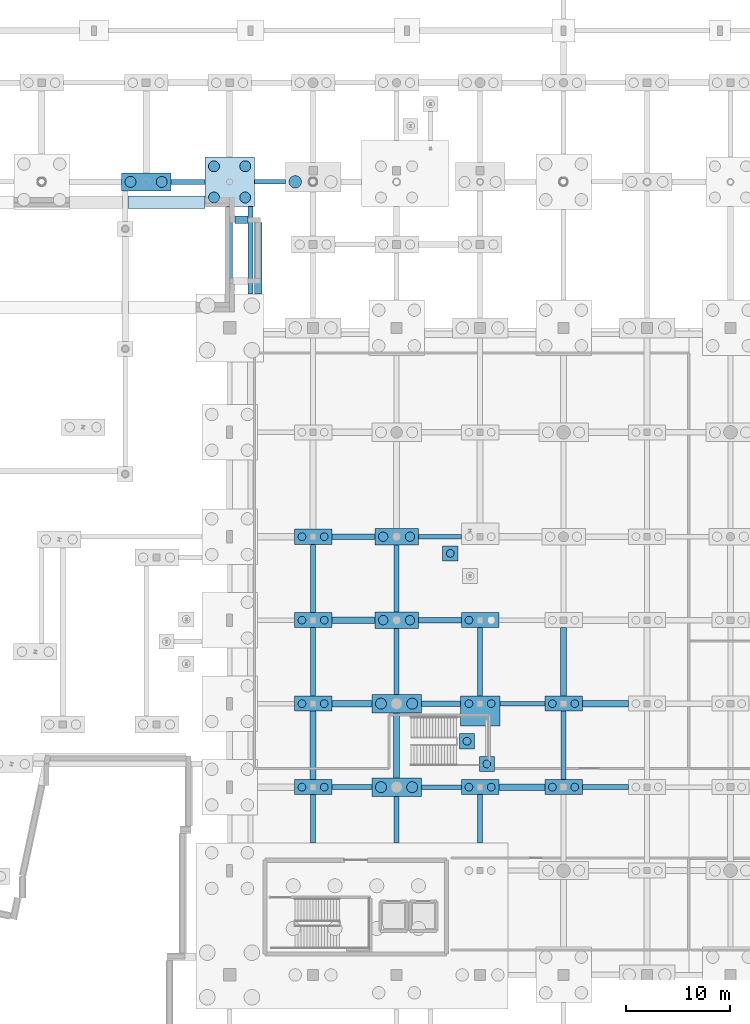
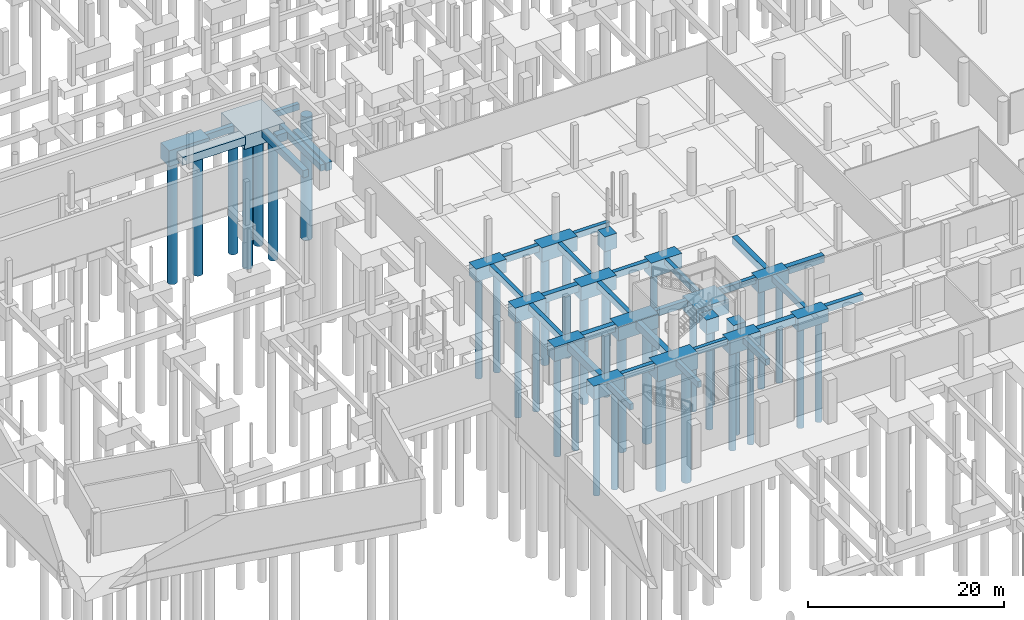
# One storey, part 6 of 65: 49 footings, 35 piles.
"""IFC4 building model written with IfcOpenShell, lengths in metres."""

from ifc_helpers import new_model, si_unit, direction, frame, origin, origin_2d, place, context, subcontext, project, spatial, rectangle, circle, extrude, material, material_profile, profile_set, type_object, element, save


model = new_model("IFC4")

# Units and contexts
model_context = context("Model", 3, precision=1e-05, world=origin(), true_north=direction((0.0, 1.0)))
body_context = subcontext(model_context, "Body", "Model", "MODEL_VIEW")
ifc_project = project(units=[si_unit("LENGTHUNIT", "METRE"), si_unit("AREAUNIT", "SQUARE_METRE"), si_unit("VOLUMEUNIT", "CUBIC_METRE"), si_unit("PLANEANGLEUNIT", "RADIAN"), si_unit("MASSUNIT", "GRAM", prefix="KILO")], contexts=[model_context])

# Site, building, storey
site_placement = place(None, origin())
site = spatial("IfcSite", under=ifc_project, at=site_placement, CompositionType="ELEMENT")
building_placement = place(site_placement, origin())
building = spatial("IfcBuilding", under=site, at=building_placement, Name="Khorjan Park Terminus", CompositionType="ELEMENT")
storey_placement = place(building_placement, frame((0.0, 0.0, -5.4)))
storey = spatial("IfcBuildingStorey", under=building, at=storey_placement, Name="B1", CompositionType="ELEMENT", Elevation=-5.4)

# Footings
ifc_material = material(Name="Concrete C40/50", Category="concrete")
ifc_material_profile_1 = material_profile(ifc_material, rectangle(XDim=0.45, YDim=0.75, at=origin_2d()), Name="RC 450x750")
ifc_profile_set_1 = profile_set([ifc_material_profile_1], Name="Concrete C40/50")
footing_type_1 = type_object("IfcFootingType", Name="FTG-GB-450x750", PredefinedType="FOOTING_BEAM", material=ifc_profile_set_1)
footing_1_placement = place(storey_placement, frame((66.371, 44.0, -0.375), z_axis=(1.0, 0.0, 0.0), x_axis=(0.0, 1.0, 0.0)))
element("IfcFooting", 1, at=footing_1_placement, inside=storey, type_object=footing_type_1, Name="Reinforced concrete ground tie beam FB-07 (29)", PredefinedType="FOOTING_BEAM", context=body_context, shape_type="SweptSolid", body=[
    extrude(rectangle(XDim=0.45, YDim=0.75, at=origin_2d()), origin(), (0.0, 0.0, 1.0), 3.835),
])
footing_2_placement = place(storey_placement, frame((73.894, 52.0, -0.375), z_axis=(1.0, 0.0, 0.0), x_axis=(0.0, 1.0, 0.0)))
element("IfcFooting", 2, at=footing_2_placement, inside=storey, type_object=footing_type_1, Name="Reinforced concrete ground tie beam FB-07 (41)", PredefinedType="FOOTING_BEAM", context=body_context, shape_type="SweptSolid", body=[
    extrude(rectangle(XDim=0.45, YDim=0.75, at=origin_2d()), origin(), (0.0, 0.0, 1.0), 4.312),
])
footing_3_placement = place(storey_placement, frame((66.082, 68.0, -0.375), z_axis=(1.0, 0.0, 0.0), x_axis=(0.0, 1.0, 0.0)))
element("IfcFooting", 3, at=footing_3_placement, inside=storey, type_object=footing_type_1, Name="Reinforced concrete ground tie beam FB-07 (59)", PredefinedType="FOOTING_BEAM", context=body_context, shape_type="SweptSolid", body=[
    extrude(rectangle(XDim=0.45, YDim=0.75, at=origin_2d()), origin(), (0.0, 0.0, 1.0), 4.124),
])
footing_4_placement = place(storey_placement, frame((50.371, 102.0, -0.375), z_axis=(1.0, 0.0, 0.0), x_axis=(0.0, 1.0, 0.0)))
element("IfcFooting", 4, at=footing_4_placement, inside=storey, type_object=footing_type_1, Name="Reinforced concrete ground tie beam FB-07 (95)", PredefinedType="FOOTING_BEAM", context=body_context, shape_type="SweptSolid", body=[
    extrude(rectangle(XDim=0.45, YDim=0.75, at=origin_2d()), origin(), (0.0, 0.0, 1.0), 2.969),
])
footing_5_placement = place(storey_placement, frame((56.0, 38.66, -0.375), z_axis=(0.0, 1.0, 0.0), x_axis=(-1.0, 0.0, 0.0)))
element("IfcFooting", 5, at=footing_5_placement, inside=storey, type_object=footing_type_1, Name="Reinforced concrete ground tie beam FB-07 (242)", PredefinedType="FOOTING_BEAM", context=body_context, shape_type="SweptSolid", body=[
    extrude(rectangle(XDim=0.45, YDim=0.75, at=origin_2d()), origin(), (0.0, 0.0, 1.0), 4.615),
])
footing_6_placement = place(storey_placement, frame((56.0, 60.725, -0.375), z_axis=(0.0, 1.0, 0.0), x_axis=(-1.0, 0.0, 0.0)))
element("IfcFooting", 6, at=footing_6_placement, inside=storey, type_object=footing_type_1, Name="Reinforced concrete ground tie beam FB-07 (245)", PredefinedType="FOOTING_BEAM", context=body_context, shape_type="SweptSolid", body=[
    extrude(rectangle(XDim=0.45, YDim=0.75, at=origin_2d()), origin(), (0.0, 0.0, 1.0), 6.55),
])
footing_7_placement = place(storey_placement, frame((64.0, 38.66, -0.375), z_axis=(0.0, 1.0, 0.0), x_axis=(-1.0, 0.0, 0.0)))
element("IfcFooting", 7, at=footing_7_placement, inside=storey, type_object=footing_type_1, Name="Reinforced concrete ground tie beam FB-07 (260)", PredefinedType="FOOTING_BEAM", context=body_context, shape_type="SweptSolid", body=[
    extrude(rectangle(XDim=0.45, YDim=0.75, at=origin_2d()), origin(), (0.0, 0.0, 1.0), 4.465),
])
footing_8_placement = place(storey_placement, frame((64.0, 60.8, -0.375), z_axis=(0.0, 1.0, 0.0), x_axis=(-1.0, 0.0, 0.0)))
element("IfcFooting", 8, at=footing_8_placement, inside=storey, type_object=footing_type_1, Name="Reinforced concrete ground tie beam FB-07 (263)", PredefinedType="FOOTING_BEAM", context=body_context, shape_type="SweptSolid", body=[
    extrude(rectangle(XDim=0.45, YDim=0.75, at=origin_2d()), origin(), (0.0, 0.0, 1.0), 6.4),
])
for number, where, z_axis, x_axis, name in (
    (9, (72.0, 52.725, -0.375), (0.0, 1.0, 0.0), (-1.0, 0.0, 0.0), "Reinforced concrete ground tie beam FB-07 (275)"),
    (10, (80.0, 44.725, -0.375), (0.0, 1.0, 0.0), (-1.0, 0.0, 0.0), "Reinforced concrete ground tie beam FB-07 (290)"),
):
    element("IfcFooting", number, at=place(storey_placement, frame(where, z_axis=z_axis, x_axis=x_axis)), inside=storey, type_object=footing_type_1, Name=name, PredefinedType="FOOTING_BEAM", context=body_context, shape_type="SweptSolid", body=[
        extrude(rectangle(XDim=0.45, YDim=0.75, at=origin_2d()), origin(), (0.0, 0.0, 1.0), 6.55),
    ])
ifc_material_profile_2 = material_profile(ifc_material, rectangle(XDim=0.5, YDim=0.8, at=origin_2d()), Name="RC 500x800")
ifc_profile_set_2 = profile_set([ifc_material_profile_2], Name="Concrete C40/50")
footing_type_2 = type_object("IfcFootingType", Name="FTG-GB-500x800", PredefinedType="FOOTING_BEAM", material=ifc_profile_set_2)
footing_9_placement = place(storey_placement, frame((57.794, 44.0, -0.4), z_axis=(1.0, 0.0, 0.0), x_axis=(0.0, 1.0, 0.0)))
element("IfcFooting", 11, at=footing_9_placement, inside=storey, type_object=footing_type_2, Name="Reinforced concrete ground tie beam FB-08 (28)", PredefinedType="FOOTING_BEAM", context=body_context, shape_type="SweptSolid", body=[
    extrude(rectangle(XDim=0.5, YDim=0.8, at=origin_2d()), origin(), (0.0, 0.0, 1.0), 3.835),
])
footing_10_placement = place(storey_placement, frame((81.794, 44.0, -0.4), z_axis=(1.0, 0.0, 0.0), x_axis=(0.0, 1.0, 0.0)))
element("IfcFooting", 12, at=footing_10_placement, inside=storey, type_object=footing_type_2, Name="Reinforced concrete ground tie beam FB-08 (31)", PredefinedType="FOOTING_BEAM", context=body_context, shape_type="SweptSolid", body=[
    extrude(rectangle(XDim=0.5, YDim=0.8, at=origin_2d()), origin(), (0.0, 0.0, 1.0), 4.412),
])
footing_11_placement = place(storey_placement, frame((66.371, 52.0, -0.4), z_axis=(1.0, 0.0, 0.0), x_axis=(0.0, 1.0, 0.0)))
element("IfcFooting", 13, at=footing_11_placement, inside=storey, type_object=footing_type_2, Name="Reinforced concrete ground tie beam FB-08 (40)", PredefinedType="FOOTING_BEAM", context=body_context, shape_type="SweptSolid", body=[
    extrude(rectangle(XDim=0.5, YDim=0.8, at=origin_2d()), origin(), (0.0, 0.0, 1.0), 3.735),
])
footing_12_placement = place(storey_placement, frame((66.082, 60.0, -0.4), z_axis=(1.0, 0.0, 0.0), x_axis=(0.0, 1.0, 0.0)))
element("IfcFooting", 14, at=footing_12_placement, inside=storey, type_object=footing_type_2, Name="Reinforced concrete ground tie beam FB-08 (49)", PredefinedType="FOOTING_BEAM", context=body_context, shape_type="SweptSolid", body=[
    extrude(rectangle(XDim=0.5, YDim=0.8, at=origin_2d()), origin(), (0.0, 0.0, 1.0), 4.124),
])
footing_13_placement = place(storey_placement, frame((57.794, 68.0, -0.4), z_axis=(1.0, 0.0, 0.0), x_axis=(0.0, 1.0, 0.0)))
element("IfcFooting", 15, at=footing_13_placement, inside=storey, type_object=footing_type_2, Name="Reinforced concrete ground tie beam FB-08 (58)", PredefinedType="FOOTING_BEAM", context=body_context, shape_type="SweptSolid", body=[
    extrude(rectangle(XDim=0.5, YDim=0.8, at=origin_2d()), origin(), (0.0, 0.0, 1.0), 4.123),
])
footing_14_placement = place(storey_placement, frame((42.371, 102.0, -0.4), z_axis=(1.0, 0.0, 0.0), x_axis=(0.0, 1.0, 0.0)))
element("IfcFooting", 16, at=footing_14_placement, inside=storey, type_object=footing_type_2, Name="Reinforced concrete ground tie beam FB-08 (94)", PredefinedType="FOOTING_BEAM", context=body_context, shape_type="SweptSolid", body=[
    extrude(rectangle(XDim=0.5, YDim=0.8, at=origin_2d()), origin(), (0.0, 0.0, 1.0), 3.258),
])
footing_15_placement = place(storey_placement, frame((50.0, 91.237, -0.4), z_axis=(0.0, 1.0, 0.0), x_axis=(-1.0, 0.0, 0.0)))
element("IfcFooting", 17, at=footing_15_placement, inside=storey, type_object=footing_type_2, Name="Reinforced concrete ground tie beam FB-08 (241)", PredefinedType="FOOTING_BEAM", context=body_context, shape_type="SweptSolid", body=[
    extrude(rectangle(XDim=0.5, YDim=0.8, at=origin_2d()), origin(), (0.0, 0.0, 1.0), 8.392),
])
footing_16_placement = place(storey_placement, frame((56.0, 52.725, -0.4), z_axis=(0.0, 1.0, 0.0), x_axis=(-1.0, 0.0, 0.0)))
element("IfcFooting", 18, at=footing_16_placement, inside=storey, type_object=footing_type_2, Name="Reinforced concrete ground tie beam FB-08 (244)", PredefinedType="FOOTING_BEAM", context=body_context, shape_type="SweptSolid", body=[
    extrude(rectangle(XDim=0.5, YDim=0.8, at=origin_2d()), origin(), (0.0, 0.0, 1.0), 6.55),
])
footing_17_placement = place(storey_placement, frame((64.0, 52.875, -0.4), z_axis=(0.0, 1.0, 0.0), x_axis=(-1.0, 0.0, 0.0)))
element("IfcFooting", 19, at=footing_17_placement, inside=storey, type_object=footing_type_2, Name="Reinforced concrete ground tie beam FB-08 (262)", PredefinedType="FOOTING_BEAM", context=body_context, shape_type="SweptSolid", body=[
    extrude(rectangle(XDim=0.5, YDim=0.8, at=origin_2d()), origin(), (0.0, 0.0, 1.0), 6.325),
])
footing_18_placement = place(storey_placement, frame((72.0, 38.66, -0.4), z_axis=(0.0, 1.0, 0.0), x_axis=(-1.0, 0.0, 0.0)))
element("IfcFooting", 20, at=footing_18_placement, inside=storey, type_object=footing_type_2, Name="Reinforced concrete ground tie beam FB-08 (274)", PredefinedType="FOOTING_BEAM", context=body_context, shape_type="SweptSolid", body=[
    extrude(rectangle(XDim=0.5, YDim=0.8, at=origin_2d()), origin(), (0.0, 0.0, 1.0), 4.615),
])
ifc_material_profile_3 = material_profile(ifc_material, rectangle(XDim=0.6, YDim=0.9, at=origin_2d()), Name="RC 600x900")
ifc_profile_set_3 = profile_set([ifc_material_profile_3], Name="Concrete C40/50")
footing_type_3 = type_object("IfcFootingType", Name="FTG-GB-600x900", PredefinedType="FOOTING_BEAM", material=ifc_profile_set_3)
footing_19_placement = place(storey_placement, frame((73.794, 44.0, -0.45), z_axis=(1.0, 0.0, 0.0), x_axis=(0.0, 1.0, 0.0)))
element("IfcFooting", 21, at=footing_19_placement, inside=storey, type_object=footing_type_3, Name="Reinforced concrete ground tie beam FB-09 (30)", PredefinedType="FOOTING_BEAM", context=body_context, shape_type="SweptSolid", body=[
    extrude(rectangle(XDim=0.6, YDim=0.9, at=origin_2d()), origin(), (0.0, 0.0, 1.0), 4.412),
])
footing_20_placement = place(storey_placement, frame((57.794, 52.0, -0.45), z_axis=(1.0, 0.0, 0.0), x_axis=(0.0, 1.0, 0.0)))
element("IfcFooting", 22, at=footing_20_placement, inside=storey, type_object=footing_type_3, Name="Reinforced concrete ground tie beam FB-09 (39)", PredefinedType="FOOTING_BEAM", context=body_context, shape_type="SweptSolid", body=[
    extrude(rectangle(XDim=0.6, YDim=0.9, at=origin_2d()), origin(), (0.0, 0.0, 1.0), 3.835),
])
footing_21_placement = place(storey_placement, frame((81.794, 52.0, -0.45), z_axis=(1.0, 0.0, 0.0), x_axis=(0.0, 1.0, 0.0)))
element("IfcFooting", 23, at=footing_21_placement, inside=storey, type_object=footing_type_3, Name="Reinforced concrete ground tie beam FB-09 (42)", PredefinedType="FOOTING_BEAM", context=body_context, shape_type="SweptSolid", body=[
    extrude(rectangle(XDim=0.6, YDim=0.9, at=origin_2d()), origin(), (0.0, 0.0, 1.0), 4.412),
])
footing_22_placement = place(storey_placement, frame((57.794, 60.0, -0.45), z_axis=(1.0, 0.0, 0.0), x_axis=(0.0, 1.0, 0.0)))
element("IfcFooting", 24, at=footing_22_placement, inside=storey, type_object=footing_type_3, Name="Reinforced concrete ground tie beam FB-09 (48)", PredefinedType="FOOTING_BEAM", context=body_context, shape_type="SweptSolid", body=[
    extrude(rectangle(XDim=0.6, YDim=0.9, at=origin_2d()), origin(), (0.0, 0.0, 1.0), 4.123),
])
footing_23_placement = place(storey_placement, frame((48.0, 91.237, -0.45), z_axis=(0.0, 1.0, 0.0), x_axis=(-1.0, 0.0, 0.0)))
element("IfcFooting", 25, at=footing_23_placement, inside=storey, type_object=footing_type_3, Name="Reinforced concrete ground tie beam FB-09 (230)", PredefinedType="FOOTING_BEAM", context=body_context, shape_type="SweptSolid", body=[
    extrude(rectangle(XDim=0.6, YDim=0.9, at=origin_2d()), origin(), (0.0, 0.0, 1.0), 8.392),
])
footing_24_placement = place(storey_placement, frame((56.0, 44.725, -0.45), z_axis=(0.0, 1.0, 0.0), x_axis=(-1.0, 0.0, 0.0)))
element("IfcFooting", 26, at=footing_24_placement, inside=storey, type_object=footing_type_3, Name="Reinforced concrete ground tie beam FB-09 (243)", PredefinedType="FOOTING_BEAM", context=body_context, shape_type="SweptSolid", body=[
    extrude(rectangle(XDim=0.6, YDim=0.9, at=origin_2d()), origin(), (0.0, 0.0, 1.0), 6.55),
])
footing_25_placement = place(storey_placement, frame((64.0, 44.875, -0.45), z_axis=(0.0, 1.0, 0.0), x_axis=(-1.0, 0.0, 0.0)))
element("IfcFooting", 27, at=footing_25_placement, inside=storey, type_object=footing_type_3, Name="Reinforced concrete ground tie beam FB-09 (261)", PredefinedType="FOOTING_BEAM", context=body_context, shape_type="SweptSolid", body=[
    extrude(rectangle(XDim=0.6, YDim=0.9, at=origin_2d()), origin(), (0.0, 0.0, 1.0), 6.25),
])
footing_26_placement = place(storey_placement, frame((80.0, 52.725, -0.45), z_axis=(0.0, 1.0, 0.0), x_axis=(-1.0, 0.0, 0.0)))
element("IfcFooting", 28, at=footing_26_placement, inside=storey, type_object=footing_type_3, Name="Reinforced concrete ground tie beam FB-09 (291)", PredefinedType="FOOTING_BEAM", context=body_context, shape_type="SweptSolid", body=[
    extrude(rectangle(XDim=0.6, YDim=0.9, at=origin_2d()), origin(), (0.0, 0.0, 1.0), 6.55),
])
footing_type_4 = type_object("IfcFootingType", Name="FTG-PC-05", PredefinedType="PILE_CAP", material=ifc_material)
footing_27_placement = place(storey_placement, frame((63.9995, 68.0, -1.78), z_axis=(0.0, 0.0, 1.0), x_axis=(1.0, 0.0, 0.0)))
element("IfcFooting", 29, at=footing_27_placement, inside=storey, type_object=footing_type_4, Name="Reinforced concrete pile cap PC-05 (108)", PredefinedType="PILE_CAP", context=body_context, shape_type="SweptSolid", body=[
    extrude(rectangle(XDim=4.165, YDim=1.6, at=origin_2d()), origin(), (0.0, 0.0, 1.0), 1.78),
])
footing_type_5 = type_object("IfcFootingType", Name="FTG-PC-08", PredefinedType="PILE_CAP", material=ifc_material)
footing_28_placement = place(storey_placement, frame((63.9995, 60.0, -1.72), z_axis=(0.0, 0.0, 1.0), x_axis=(1.0, 0.0, 0.0)))
element("IfcFooting", 30, at=footing_28_placement, inside=storey, type_object=footing_type_5, Name="Reinforced concrete pile cap PC-08 (107)", PredefinedType="PILE_CAP", context=body_context, shape_type="SweptSolid", body=[
    extrude(rectangle(XDim=4.165, YDim=1.6, at=origin_2d()), origin(), (0.0, 0.0, 1.0), 1.72),
])
footing_type_6 = type_object("IfcFootingType", Name="FTG-PC-16", PredefinedType="PILE_CAP", material=ifc_material)
footing_29_placement = place(storey_placement, frame((72.65, 46.22, -1.66), z_axis=(0.0, 0.0, 1.0), x_axis=(1.0, 0.0, 0.0)))
element("IfcFooting", 31, at=footing_29_placement, inside=storey, type_object=footing_type_6, Name="Reinforced concrete pile cap PC-16 (143)", PredefinedType="PILE_CAP", context=body_context, shape_type="SweptSolid", body=[
    extrude(rectangle(XDim=1.45, YDim=1.45, at=origin_2d()), origin(), (0.0, 0.0, 1.0), 1.66),
])
footing_type_7 = type_object("IfcFootingType", Name="FTG-PC-21", PredefinedType="PILE_CAP", material=ifc_material)
footing_30_placement = place(storey_placement, frame((69.15, 66.4, -1.84), z_axis=(0.0, 0.0, 1.0), x_axis=(1.0, 0.0, 0.0)))
element("IfcFooting", 32, at=footing_30_placement, inside=storey, type_object=footing_type_7, Name="Reinforced concrete pile cap PC-21 (127)", PredefinedType="PILE_CAP", context=body_context, shape_type="SweptSolid", body=[
    extrude(rectangle(XDim=1.45, YDim=1.45, at=origin_2d()), origin(), (0.0, 0.0, 1.0), 1.84),
])
footing_type_8 = type_object("IfcFootingType", Name="FTG-PC-22", PredefinedType="PILE_CAP", material=ifc_material)
footing_31_placement = place(storey_placement, frame((70.75, 48.4, -1.78), z_axis=(0.0, 0.0, 1.0), x_axis=(1.0, 0.0, 0.0)))
element("IfcFooting", 33, at=footing_31_placement, inside=storey, type_object=footing_type_8, Name="Reinforced concrete pile cap PC-22 (136)", PredefinedType="PILE_CAP", context=body_context, shape_type="SweptSolid", body=[
    extrude(rectangle(XDim=1.45, YDim=1.45, at=origin_2d()), origin(), (0.0, 0.0, 1.0), 1.78),
])
footing_type_9 = type_object("IfcFootingType", Name="FTG-PC-25", PredefinedType="PILE_CAP", material=ifc_material)
for number, where, z_axis, x_axis, name in (
    (34, (40.0, 102.0, -1.96), (0.0, 0.0, 1.0), (1.0, 0.0, 0.0), "Reinforced concrete pile cap PC-25 (54)"),
    (35, (64.0, 44.0, -1.96), (0.0, 0.0, 1.0), (1.0, 0.0, 0.0), "Reinforced concrete pile cap PC-25 (103)"),
):
    element("IfcFooting", number, at=place(storey_placement, frame(where, z_axis=z_axis, x_axis=x_axis)), inside=storey, type_object=footing_type_9, Name=name, PredefinedType="PILE_CAP", context=body_context, shape_type="SweptSolid", body=[
        extrude(rectangle(XDim=4.742, YDim=1.75, at=origin_2d()), origin(), (0.0, 0.0, 1.0), 1.96),
    ])
footing_type_10 = type_object("IfcFootingType", Name="FTG-PC-26", PredefinedType="PILE_CAP", material=ifc_material)
footing_32_placement = place(storey_placement, frame((64.0, 52.0, -1.72), z_axis=(0.0, 0.0, 1.0), x_axis=(1.0, 0.0, 0.0)))
element("IfcFooting", 36, at=footing_32_placement, inside=storey, type_object=footing_type_10, Name="Reinforced concrete pile cap PC-26 (104)", PredefinedType="PILE_CAP", context=body_context, shape_type="SweptSolid", body=[
    extrude(rectangle(XDim=4.742, YDim=1.75, at=origin_2d()), origin(), (0.0, 0.0, 1.0), 1.72),
])
footing_type_11 = type_object("IfcFootingType", Name="FTG-PC-32", PredefinedType="PILE_CAP", material=ifc_material)
footing_33_placement = place(storey_placement, frame((48.0, 102.0, -1.72), z_axis=(0.0, 0.0, 1.0), x_axis=(1.0, 0.0, 0.0)))
element("IfcFooting", 37, at=footing_33_placement, inside=storey, type_object=footing_type_11, Name="Reinforced concrete pile cap PC-32 (72)", PredefinedType="PILE_CAP", context=body_context, shape_type="SweptSolid", body=[
    extrude(rectangle(XDim=4.742, YDim=4.742, at=origin_2d()), origin(), (0.0, 0.0, 1.0), 1.72),
])
footing_type_12 = type_object("IfcFootingType", Name="FTG-PC-36", PredefinedType="PILE_CAP", material=ifc_material)
for number, where, z_axis, x_axis, name in (
    (38, (56.0, 44.0, -1.72), (0.0, 0.0, 1.0), (1.0, 0.0, 0.0), "Reinforced concrete pile cap PC-36 (92)"),
    (39, (72.0, 44.0, -1.72), (0.0, 0.0, 1.0), (1.0, 0.0, 0.0), "Reinforced concrete pile cap PC-36 (138)"),
):
    element("IfcFooting", number, at=place(storey_placement, frame(where, z_axis=z_axis, x_axis=x_axis)), inside=storey, type_object=footing_type_12, Name=name, PredefinedType="PILE_CAP", context=body_context, shape_type="SweptSolid", body=[
        extrude(rectangle(XDim=3.588, YDim=1.45, at=origin_2d()), origin(), (0.0, 0.0, 1.0), 1.72),
    ])
footing_type_13 = type_object("IfcFootingType", Name="FTG-PC-37", PredefinedType="PILE_CAP", material=ifc_material)
footing_34_placement = place(storey_placement, frame((56.0, 52.0, -1.78), z_axis=(0.0, 0.0, 1.0), x_axis=(1.0, 0.0, 0.0)))
element("IfcFooting", 40, at=footing_34_placement, inside=storey, type_object=footing_type_13, Name="Reinforced concrete pile cap PC-37 (93)", PredefinedType="PILE_CAP", context=body_context, shape_type="SweptSolid", body=[
    extrude(rectangle(XDim=3.588, YDim=1.45, at=origin_2d()), origin(), (0.0, 0.0, 1.0), 1.78),
])
footing_type_14 = type_object("IfcFootingType", Name="FTG-PC-38", PredefinedType="PILE_CAP", material=ifc_material)
for number, where, z_axis, x_axis, name in (
    (41, (56.0, 60.0, -1.84), (0.0, 0.0, 1.0), (1.0, 0.0, 0.0), "Reinforced concrete pile cap PC-38 (94)"),
    (42, (72.0, 60.0, -1.84), (0.0, 0.0, 1.0), (1.0, 0.0, 0.0), "Reinforced concrete pile cap PC-38 (139)"),
):
    element("IfcFooting", number, at=place(storey_placement, frame(where, z_axis=z_axis, x_axis=x_axis)), inside=storey, type_object=footing_type_14, Name=name, PredefinedType="PILE_CAP", context=body_context, shape_type="SweptSolid", body=[
        extrude(rectangle(XDim=3.588, YDim=1.45, at=origin_2d()), origin(), (0.0, 0.0, 1.0), 1.84),
    ])
footing_type_15 = type_object("IfcFootingType", Name="FTG-PC-39", PredefinedType="PILE_CAP", material=ifc_material)
for number, where, z_axis, x_axis, name in (
    (43, (56.0, 68.0, -1.6), (0.0, 0.0, 1.0), (1.0, 0.0, 0.0), "Reinforced concrete pile cap PC-39 (95)"),
    (44, (80.0, 44.0, -1.6), (0.0, 0.0, 1.0), (1.0, 0.0, 0.0), "Reinforced concrete pile cap PC-39 (155)"),
):
    element("IfcFooting", number, at=place(storey_placement, frame(where, z_axis=z_axis, x_axis=x_axis)), inside=storey, type_object=footing_type_15, Name=name, PredefinedType="PILE_CAP", context=body_context, shape_type="SweptSolid", body=[
        extrude(rectangle(XDim=3.588, YDim=1.45, at=origin_2d()), origin(), (0.0, 0.0, 1.0), 1.6),
    ])
footing_type_16 = type_object("IfcFootingType", Name="FTG-PC-40", PredefinedType="PILE_CAP", material=ifc_material)
footing_35_placement = place(storey_placement, frame((80.0, 52.0, -1.66), z_axis=(0.0, 0.0, 1.0), x_axis=(1.0, 0.0, 0.0)))
element("IfcFooting", 45, at=footing_35_placement, inside=storey, type_object=footing_type_16, Name="Reinforced concrete pile cap PC-40 (156)", PredefinedType="PILE_CAP", context=body_context, shape_type="SweptSolid", body=[
    extrude(rectangle(XDim=3.588, YDim=1.45, at=origin_2d()), origin(), (0.0, 0.0, 1.0), 1.66),
])
footing_type_17 = type_object("IfcFootingType", Name="FTG-PC-45", PredefinedType="PILE_CAP", material=ifc_material)
footing_36_placement = place(storey_placement, frame((72.0, 51.29, -1.78), z_axis=(0.0, 0.0, 1.0), x_axis=(1.0, 0.0, 0.0)))
element("IfcFooting", 46, at=footing_36_placement, inside=storey, type_object=footing_type_17, Name="Reinforced concrete pile cap PC-45 (137)", PredefinedType="PILE_CAP", context=body_context, shape_type="SweptSolid", body=[
    extrude(rectangle(XDim=3.788, YDim=2.87, at=origin_2d()), origin(), (0.0, 0.0, 1.0), 1.78),
])
ifc_material_profile_4 = material_profile(ifc_material, rectangle(XDim=1.2, YDim=1.0, at=origin_2d()), Name="RC 1200x1000")
ifc_profile_set_4 = profile_set([ifc_material_profile_4], Name="Concrete C40/50")
footing_type_18 = type_object("IfcFootingType", Name="FTG-SF-1200x1000", PredefinedType="STRIP_FOOTING", material=ifc_profile_set_4)
footing_37_placement = place(storey_placement, frame((38.253, 100.04, -0.5), z_axis=(1.0, 0.0, 0.0), x_axis=(0.0, 1.0, 0.0)))
element("IfcFooting", 47, at=footing_37_placement, inside=storey, type_object=footing_type_18, Name="Reinforced concrete wall strip footing SF-12 (17)", PredefinedType="STRIP_FOOTING", context=body_context, shape_type="SweptSolid", body=[
    extrude(rectangle(XDim=1.2, YDim=1.0, at=origin_2d()), origin(), (0.0, 0.0, 1.0), 7.373),
])
ifc_material_profile_5 = material_profile(ifc_material, rectangle(XDim=0.7, YDim=1.0, at=origin_2d()), Name="RC 700x1000")
ifc_profile_set_5 = profile_set([ifc_material_profile_5], Name="Concrete C40/50")
footing_type_19 = type_object("IfcFootingType", Name="FTG-SF-700x1000", PredefinedType="STRIP_FOOTING", material=ifc_profile_set_5)
footing_38_placement = place(storey_placement, frame((50.74, 91.24, -0.5), z_axis=(0.0, 1.0, 0.0), x_axis=(-1.0, 0.0, 0.0)))
element("IfcFooting", 48, at=footing_38_placement, inside=storey, type_object=footing_type_19, Name="Reinforced concrete wall strip footing SF-07 (25)", PredefinedType="STRIP_FOOTING", context=body_context, shape_type="SweptSolid", body=[
    extrude(rectangle(XDim=0.7, YDim=1.0, at=origin_2d()), origin(), (0.0, 0.0, 1.0), 6.889),
])
footing_39_placement = place(storey_placement, frame((49.747, 98.369, -0.5), z_axis=(-1.0, 0.0, 0.0), x_axis=(0.0, -1.0, 0.0)))
element("IfcFooting", 49, at=footing_39_placement, inside=storey, type_object=footing_type_19, Name="Reinforced concrete wall strip footing SF-07 (93)", PredefinedType="STRIP_FOOTING", context=body_context, shape_type="SweptSolid", body=[
    extrude(rectangle(XDim=0.7, YDim=1.0, at=origin_2d()), origin(), (0.0, 0.0, 1.0), 1.247),
])

# Piles
ifc_material_profile_6 = material_profile(ifc_material, circle(Radius=0.525, at=origin_2d()), Name="BORED D1050")
ifc_profile_set_6 = profile_set([ifc_material_profile_6], Name="Concrete C40/50")
pile_type_1 = type_object("IfcPileType", Name="PL-D1050", PredefinedType="BORED", material=ifc_profile_set_6)
for number, where, z_axis, x_axis, name in (
    (50, (38.5035, 102.0, -1.86), (0.0, 0.0, -1.0), (1.0, 0.0, 0.0), "Bored rock-socketed pile PL-105 (116)"),
    (51, (41.4965, 102.0, -1.86), (0.0, 0.0, -1.0), (1.0, 0.0, 0.0), "Bored rock-socketed pile PL-105 (117)"),
):
    element("IfcPile", number, at=place(storey_placement, frame(where, z_axis=z_axis, x_axis=x_axis)), inside=storey, type_object=pile_type_1, Name=name, PredefinedType="BORED", context=body_context, shape_type="SweptSolid", body=[
        extrude(circle(Radius=0.525, at=origin_2d()), origin(), (0.0, 0.0, 1.0), 15.24),
    ])
for number, where, z_axis, x_axis, name in (
    (52, (46.5035, 100.5035, -1.62), (0.0, 0.0, -1.0), (1.0, 0.0, 0.0), "Bored rock-socketed pile PL-105 (180)"),
    (53, (46.5035, 103.4965, -1.62), (0.0, 0.0, -1.0), (1.0, 0.0, 0.0), "Bored rock-socketed pile PL-105 (181)"),
    (54, (49.4965, 100.5035, -1.62), (0.0, 0.0, -1.0), (1.0, 0.0, 0.0), "Bored rock-socketed pile PL-105 (182)"),
    (55, (49.4965, 103.4965, -1.62), (0.0, 0.0, -1.0), (1.0, 0.0, 0.0), "Bored rock-socketed pile PL-105 (183)"),
):
    element("IfcPile", number, at=place(storey_placement, frame(where, z_axis=z_axis, x_axis=x_axis)), inside=storey, type_object=pile_type_1, Name=name, PredefinedType="BORED", context=body_context, shape_type="SweptSolid", body=[
        extrude(circle(Radius=0.525, at=origin_2d()), origin(), (0.0, 0.0, 1.0), 15.48),
    ])
for number, where, z_axis, x_axis, name in (
    (56, (62.5035, 44.0, -1.86), (0.0, 0.0, -1.0), (1.0, 0.0, 0.0), "Bored rock-socketed pile PL-105 (244)"),
    (57, (65.4965, 44.0, -1.86), (0.0, 0.0, -1.0), (1.0, 0.0, 0.0), "Bored rock-socketed pile PL-105 (245)"),
):
    element("IfcPile", number, at=place(storey_placement, frame(where, z_axis=z_axis, x_axis=x_axis)), inside=storey, type_object=pile_type_1, Name=name, PredefinedType="BORED", context=body_context, shape_type="SweptSolid", body=[
        extrude(circle(Radius=0.525, at=origin_2d()), origin(), (0.0, 0.0, 1.0), 14.24),
    ])
for number, where, z_axis, x_axis, name in (
    (58, (62.5035, 52.0, -1.62), (0.0, 0.0, -1.0), (1.0, 0.0, 0.0), "Bored rock-socketed pile PL-105 (246)"),
    (59, (65.4965, 52.0, -1.62), (0.0, 0.0, -1.0), (1.0, 0.0, 0.0), "Bored rock-socketed pile PL-105 (247)"),
):
    element("IfcPile", number, at=place(storey_placement, frame(where, z_axis=z_axis, x_axis=x_axis)), inside=storey, type_object=pile_type_1, Name=name, PredefinedType="BORED", context=body_context, shape_type="SweptSolid", body=[
        extrude(circle(Radius=0.525, at=origin_2d()), origin(), (0.0, 0.0, 1.0), 14.48),
    ])
ifc_material_profile_7 = material_profile(ifc_material, circle(Radius=0.6, at=origin_2d()), Name="BORED D1200")
ifc_profile_set_7 = profile_set([ifc_material_profile_7], Name="Concrete C40/50")
pile_type_2 = type_object("IfcPileType", Name="PL-D1200", PredefinedType="BORED", material=ifc_profile_set_7)
pile_1_placement = place(storey_placement, frame((54.29, 102.0, -1.74), z_axis=(0.0, 0.0, -1.0), x_axis=(1.0, 0.0, 0.0)))
element("IfcPile", 60, at=pile_1_placement, inside=storey, type_object=pile_type_2, Name="Bored rock-socketed pile PL-120 (206)", PredefinedType="BORED", context=body_context, shape_type="SweptSolid", body=[
    extrude(circle(Radius=0.6, at=origin_2d()), origin(), (0.0, 0.0, 1.0), 15.36),
])
ifc_material_profile_8 = material_profile(ifc_material, circle(Radius=0.375, at=origin_2d()), Name="BORED D750")
ifc_profile_set_8 = profile_set([ifc_material_profile_8], Name="Concrete C40/50")
pile_type_3 = type_object("IfcPileType", Name="PL-D750", PredefinedType="BORED", material=ifc_profile_set_8)
for number, where, z_axis, x_axis, name in (
    (61, (54.931, 44.0, -1.62), (0.0, 0.0, -1.0), (1.0, 0.0, 0.0), "Bored rock-socketed pile PL-75 (220)"),
    (62, (57.069, 44.0, -1.62), (0.0, 0.0, -1.0), (1.0, 0.0, 0.0), "Bored rock-socketed pile PL-75 (221)"),
):
    element("IfcPile", number, at=place(storey_placement, frame(where, z_axis=z_axis, x_axis=x_axis)), inside=storey, type_object=pile_type_3, Name=name, PredefinedType="BORED", context=body_context, shape_type="SweptSolid", body=[
        extrude(circle(Radius=0.375, at=origin_2d()), origin(), (0.0, 0.0, 1.0), 12.48),
    ])
for number, where, z_axis, x_axis, name in (
    (63, (54.931, 52.0, -1.68), (0.0, 0.0, -1.0), (1.0, 0.0, 0.0), "Bored rock-socketed pile PL-75 (222)"),
    (64, (57.069, 52.0, -1.68), (0.0, 0.0, -1.0), (1.0, 0.0, 0.0), "Bored rock-socketed pile PL-75 (223)"),
):
    element("IfcPile", number, at=place(storey_placement, frame(where, z_axis=z_axis, x_axis=x_axis)), inside=storey, type_object=pile_type_3, Name=name, PredefinedType="BORED", context=body_context, shape_type="SweptSolid", body=[
        extrude(circle(Radius=0.375, at=origin_2d()), origin(), (0.0, 0.0, 1.0), 12.42),
    ])
for number, where, z_axis, x_axis, name in (
    (65, (54.931, 60.0, -1.74), (0.0, 0.0, -1.0), (1.0, 0.0, 0.0), "Bored rock-socketed pile PL-75 (224)"),
    (66, (57.069, 60.0, -1.74), (0.0, 0.0, -1.0), (1.0, 0.0, 0.0), "Bored rock-socketed pile PL-75 (225)"),
):
    element("IfcPile", number, at=place(storey_placement, frame(where, z_axis=z_axis, x_axis=x_axis)), inside=storey, type_object=pile_type_3, Name=name, PredefinedType="BORED", context=body_context, shape_type="SweptSolid", body=[
        extrude(circle(Radius=0.375, at=origin_2d()), origin(), (0.0, 0.0, 1.0), 12.36),
    ])
for number, where, z_axis, x_axis, name in (
    (67, (54.931, 68.0, -1.5), (0.0, 0.0, -1.0), (1.0, 0.0, 0.0), "Bored rock-socketed pile PL-75 (226)"),
    (68, (57.069, 68.0, -1.5), (0.0, 0.0, -1.0), (1.0, 0.0, 0.0), "Bored rock-socketed pile PL-75 (227)"),
):
    element("IfcPile", number, at=place(storey_placement, frame(where, z_axis=z_axis, x_axis=x_axis)), inside=storey, type_object=pile_type_3, Name=name, PredefinedType="BORED", context=body_context, shape_type="SweptSolid", body=[
        extrude(circle(Radius=0.375, at=origin_2d()), origin(), (0.0, 0.0, 1.0), 12.6),
    ])
pile_2_placement = place(storey_placement, frame((69.15, 66.4, -1.74), z_axis=(0.0, 0.0, -1.0), x_axis=(1.0, 0.0, 0.0)))
element("IfcPile", 69, at=pile_2_placement, inside=storey, type_object=pile_type_3, Name="Bored rock-socketed pile PL-75 (282)", PredefinedType="BORED", context=body_context, shape_type="SweptSolid", body=[
    extrude(circle(Radius=0.375, at=origin_2d()), origin(), (0.0, 0.0, 1.0), 12.36),
])
for number, where, z_axis, x_axis, name in (
    (70, (70.75, 48.4, -1.68), (0.0, 0.0, -1.0), (1.0, 0.0, 0.0), "Bored rock-socketed pile PL-75 (311)"),
    (71, (70.931, 52.0, -1.68), (0.0, 0.0, -1.0), (1.0, 0.0, 0.0), "Bored rock-socketed pile PL-75 (312)"),
    (72, (73.069, 52.0, -1.68), (0.0, 0.0, -1.0), (1.0, 0.0, 0.0), "Bored rock-socketed pile PL-75 (313)"),
):
    element("IfcPile", number, at=place(storey_placement, frame(where, z_axis=z_axis, x_axis=x_axis)), inside=storey, type_object=pile_type_3, Name=name, PredefinedType="BORED", context=body_context, shape_type="SweptSolid", body=[
        extrude(circle(Radius=0.375, at=origin_2d()), origin(), (0.0, 0.0, 1.0), 12.42),
    ])
for number, where, z_axis, x_axis, name in (
    (73, (70.931, 44.0, -1.62), (0.0, 0.0, -1.0), (1.0, 0.0, 0.0), "Bored rock-socketed pile PL-75 (314)"),
    (74, (73.069, 44.0, -1.62), (0.0, 0.0, -1.0), (1.0, 0.0, 0.0), "Bored rock-socketed pile PL-75 (315)"),
):
    element("IfcPile", number, at=place(storey_placement, frame(where, z_axis=z_axis, x_axis=x_axis)), inside=storey, type_object=pile_type_3, Name=name, PredefinedType="BORED", context=body_context, shape_type="SweptSolid", body=[
        extrude(circle(Radius=0.375, at=origin_2d()), origin(), (0.0, 0.0, 1.0), 12.48),
    ])
pile_3_placement = place(storey_placement, frame((70.931, 60.0, -1.74), z_axis=(0.0, 0.0, -1.0), x_axis=(1.0, 0.0, 0.0)))
element("IfcPile", 75, at=pile_3_placement, inside=storey, type_object=pile_type_3, Name="Bored rock-socketed pile PL-75 (316)", PredefinedType="BORED", context=body_context, shape_type="SweptSolid", body=[
    extrude(circle(Radius=0.375, at=origin_2d()), origin(), (0.0, 0.0, 1.0), 12.36),
])
pile_4_placement = place(storey_placement, frame((72.65, 46.22, -1.56), z_axis=(0.0, 0.0, -1.0), x_axis=(1.0, 0.0, 0.0)))
element("IfcPile", 76, at=pile_4_placement, inside=storey, type_object=pile_type_3, Name="Bored rock-socketed pile PL-75 (323)", PredefinedType="BORED", context=body_context, shape_type="SweptSolid", body=[
    extrude(circle(Radius=0.375, at=origin_2d()), origin(), (0.0, 0.0, 1.0), 12.54),
])
for number, where, z_axis, x_axis, name in (
    (77, (78.931, 44.0, -1.5), (0.0, 0.0, -1.0), (1.0, 0.0, 0.0), "Bored rock-socketed pile PL-75 (352)"),
    (78, (81.069, 44.0, -1.5), (0.0, 0.0, -1.0), (1.0, 0.0, 0.0), "Bored rock-socketed pile PL-75 (353)"),
):
    element("IfcPile", number, at=place(storey_placement, frame(where, z_axis=z_axis, x_axis=x_axis)), inside=storey, type_object=pile_type_3, Name=name, PredefinedType="BORED", context=body_context, shape_type="SweptSolid", body=[
        extrude(circle(Radius=0.375, at=origin_2d()), origin(), (0.0, 0.0, 1.0), 12.6),
    ])
for number, where, z_axis, x_axis, name in (
    (79, (78.931, 52.0, -1.56), (0.0, 0.0, -1.0), (1.0, 0.0, 0.0), "Bored rock-socketed pile PL-75 (354)"),
    (80, (81.069, 52.0, -1.56), (0.0, 0.0, -1.0), (1.0, 0.0, 0.0), "Bored rock-socketed pile PL-75 (355)"),
):
    element("IfcPile", number, at=place(storey_placement, frame(where, z_axis=z_axis, x_axis=x_axis)), inside=storey, type_object=pile_type_3, Name=name, PredefinedType="BORED", context=body_context, shape_type="SweptSolid", body=[
        extrude(circle(Radius=0.375, at=origin_2d()), origin(), (0.0, 0.0, 1.0), 12.54),
    ])
ifc_material_profile_9 = material_profile(ifc_material, circle(Radius=0.45, at=origin_2d()), Name="BORED D900")
ifc_profile_set_9 = profile_set([ifc_material_profile_9], Name="Concrete C40/50")
pile_type_4 = type_object("IfcPileType", Name="PL-D900", PredefinedType="BORED", material=ifc_profile_set_9)
for number, where, z_axis, x_axis, name in (
    (81, (62.7175, 60.0, -1.62), (0.0, 0.0, -1.0), (1.0, 0.0, 0.0), "Bored rock-socketed pile PL-90 (254)"),
    (82, (65.2825, 60.0, -1.62), (0.0, 0.0, -1.0), (1.0, 0.0, 0.0), "Bored rock-socketed pile PL-90 (255)"),
):
    element("IfcPile", number, at=place(storey_placement, frame(where, z_axis=z_axis, x_axis=x_axis)), inside=storey, type_object=pile_type_4, Name=name, PredefinedType="BORED", context=body_context, shape_type="SweptSolid", body=[
        extrude(circle(Radius=0.45, at=origin_2d()), origin(), (0.0, 0.0, 1.0), 13.48),
    ])
for number, where, z_axis, x_axis, name in (
    (83, (62.7175, 68.0, -1.68), (0.0, 0.0, -1.0), (1.0, 0.0, 0.0), "Bored rock-socketed pile PL-90 (256)"),
    (84, (65.2825, 68.0, -1.68), (0.0, 0.0, -1.0), (1.0, 0.0, 0.0), "Bored rock-socketed pile PL-90 (257)"),
):
    element("IfcPile", number, at=place(storey_placement, frame(where, z_axis=z_axis, x_axis=x_axis)), inside=storey, type_object=pile_type_4, Name=name, PredefinedType="BORED", context=body_context, shape_type="SweptSolid", body=[
        extrude(circle(Radius=0.45, at=origin_2d()), origin(), (0.0, 0.0, 1.0), 13.42),
    ])

save(model, "model.ifc")
